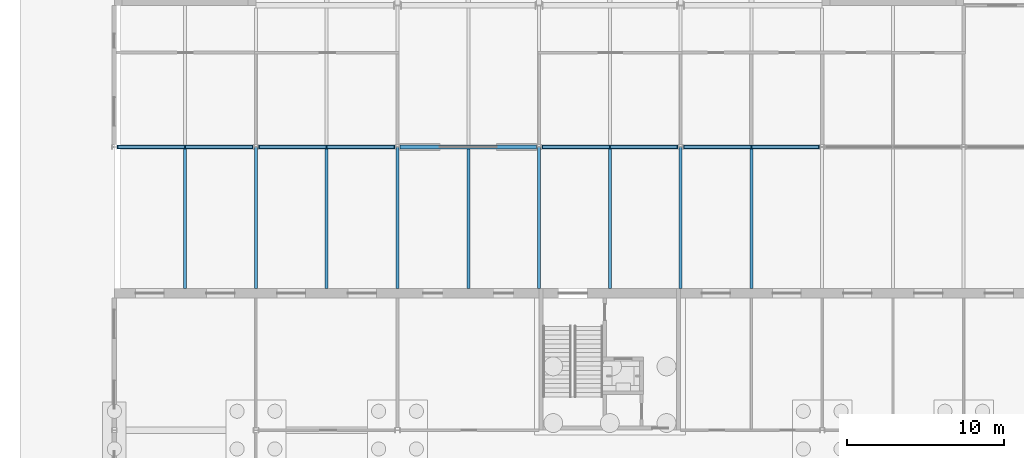
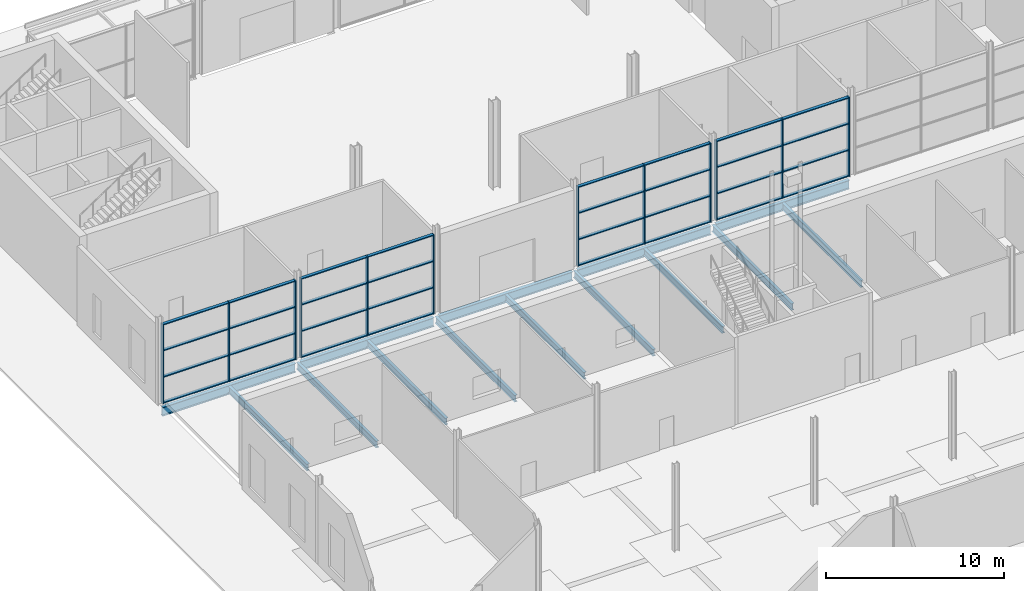
# One storey, part 39 of 97: 44 members, 14 beams, 4 elements without a shape of their own.
"""IFC4 building model written with IfcOpenShell, lengths in metres."""

from ifc_helpers import new_model, si_unit, direction, frame, origin, origin_2d, place, context, subcontext, project, spatial, rectangle, i_section, extrude, material, layer, layer_set, material_profile, profile_set, type_object, element, aggregate, save


model = new_model("IFC4")

# Units and contexts
model_context = context("Model", 3, precision=1e-05, world=origin(), true_north=direction((0.0, 1.0)))
body_context = subcontext(model_context, "Body", "Model", "MODEL_VIEW")
ifc_project = project(units=[si_unit("LENGTHUNIT", "METRE"), si_unit("AREAUNIT", "SQUARE_METRE"), si_unit("VOLUMEUNIT", "CUBIC_METRE"), si_unit("PLANEANGLEUNIT", "RADIAN"), si_unit("MASSUNIT", "GRAM", prefix="KILO")], contexts=[model_context])

# Site, building, storey
site_placement = place(None, origin())
site = spatial("IfcSite", under=ifc_project, at=site_placement, CompositionType="ELEMENT")
building_placement = place(site_placement, origin())
building = spatial("IfcBuilding", under=site, at=building_placement, Name="Corbel Yard City Hall", CompositionType="ELEMENT")
storey_placement = place(building_placement, origin())
storey = spatial("IfcBuildingStorey", under=building, at=storey_placement, Name="L00", CompositionType="ELEMENT", Elevation=0.0)

# Beams
ifc_material_1 = material(Name="Steel Grade 300 (300 MPa yield)", Category="steel")
ifc_material_profile_1 = material_profile(ifc_material_1, i_section(OverallWidth=0.19091796875, OverallDepth=0.4599609375, WebThickness=0.010009765625, FlangeThickness=0.01611328125, at=origin_2d()), Name="460UB82.1")
ifc_profile_set_1 = profile_set([ifc_material_profile_1], Name="Steel Grade 300 (300 MPa yield)")
beam_type_1 = type_object("IfcBeamType", Name="Beam 460UB82.1", PredefinedType="BEAM", material=ifc_profile_set_1)
for number, where, z_axis, x_axis, name in (
    (1, (9.0, 81.0, -0.47998046875), (0.0, 1.0, 0.0), (-1.0, 0.0, 0.0), "Beam 460UB82.1 SB2 L00deck"),
    (2, (18.0, 81.0, -0.47998046875), (0.0, 1.0, 0.0), (-1.0, 0.0, 0.0), "Beam 460UB82.1 SB2 L00deck"),
    (3, (27.0, 81.0, -0.47998046875), (0.0, 1.0, 0.0), (-1.0, 0.0, 0.0), "Beam 460UB82.1 SB2 L00deck"),
    (4, (36.0, 81.0, -0.47998046875), (0.0, 1.0, 0.0), (-1.0, 0.0, 0.0), "Beam 460UB82.1 SB2 L00deck"),
):
    element("IfcBeam", number, at=place(storey_placement, frame(where, z_axis=z_axis, x_axis=x_axis)), inside=storey, type_object=beam_type_1, Name=name, PredefinedType="BEAM", context=body_context, shape_type="SweptSolid", body=[
        extrude(i_section(OverallWidth=0.19091796875, OverallDepth=0.4599609375, WebThickness=0.010009765625, FlangeThickness=0.01611328125, at=origin_2d()), origin(), (0.0, 0.0, 1.0), 8.9921875),
    ])
ifc_material_profile_2 = material_profile(ifc_material_1, i_section(OverallWidth=0.22900390625, OverallDepth=0.612060546875, WebThickness=0.011962890625, FlangeThickness=0.01953125, at=origin_2d()), Name="610UB125")
ifc_profile_set_2 = profile_set([ifc_material_profile_2], Name="Steel Grade 300 (300 MPa yield)")
beam_type_2 = type_object("IfcBeamType", Name="Girder 610UB125", PredefinedType="BEAM", material=ifc_profile_set_2)
for number, where, z_axis, x_axis, name in (
    (5, (0.16357421875, 90.0, -0.555908203125), (1.0, 0.0, 0.0), (0.0, 1.0, 0.0), "Girder 610UB125 GB1 L00deck"),
    (6, (9.16357421875, 90.0, -0.555908203125), (1.0, 0.0, 0.0), (0.0, 1.0, 0.0), "Girder 610UB125 GB1 L00deck"),
    (7, (18.16357421875, 90.0, -0.555908203125), (1.0, 0.0, 0.0), (0.0, 1.0, 0.0), "Girder 610UB125 GB1 L00deck"),
    (8, (27.16357421875, 90.0, -0.555908203125), (1.0, 0.0, 0.0), (0.0, 1.0, 0.0), "Girder 610UB125 GB1 L00deck"),
    (9, (36.16357421875, 90.0, -0.555908203125), (1.0, 0.0, 0.0), (0.0, 1.0, 0.0), "Girder 610UB125 GB1 L00deck"),
):
    element("IfcBeam", number, at=place(storey_placement, frame(where, z_axis=z_axis, x_axis=x_axis)), inside=storey, type_object=beam_type_2, Name=name, PredefinedType="BEAM", context=body_context, shape_type="SweptSolid", body=[
        extrude(i_section(OverallWidth=0.22900390625, OverallDepth=0.612060546875, WebThickness=0.011962890625, FlangeThickness=0.01953125, at=origin_2d()), origin(), (0.0, 0.0, 1.0), 8.6728515625),
    ])

# Curtain wall, members
ifc_material_2 = material(Name="Aluminium extrusion", Category="aluminium")
ifc_layer = layer(ifc_material_2, 0.25)
ifc_layer_set = layer_set([ifc_layer], Name="Aluminium extrusion")
curtain_wall_type = type_object("IfcCurtainWallType", Name="CW4", PredefinedType="USERDEFINED", material=ifc_layer_set)
curtain_wall_1_placement = place(storey_placement, origin())
curtain_wall_1 = element("IfcCurtainWall", 10, at=curtain_wall_1_placement, inside=storey, type_object=curtain_wall_type, Name="Curtain wall CW4 L00", ObjectType="CURTAIN WALL", PredefinedType="USERDEFINED")
ifc_material_profile_3 = material_profile(ifc_material_2, rectangle(XDim=0.25, YDim=0.06494140625, at=origin_2d()), Name="250x65")
ifc_profile_set_3 = profile_set([ifc_material_profile_3], Name="Aluminium extrusion")
member_type_1 = type_object("IfcMemberType", Name="ML4", PredefinedType="MULLION", material=ifc_profile_set_3)
member_1_placement = place(storey_placement, frame((0.18994140625, 90.0, 0.0), z_axis=(0.0, 0.0, 1.0), x_axis=(0.0, 1.0, 0.0)))
member_1 = element("IfcMember", 11, at=member_1_placement, type_object=member_type_1, Name="CW4 mullion 1", PredefinedType="MULLION", context=body_context, shape_type="SweptSolid", body=[
    extrude(rectangle(XDim=0.25, YDim=0.06494140625, at=origin_2d()), origin(), (0.0, 0.0, 1.0), 5.444091796875),
])
member_2_placement = place(storey_placement, frame((4.5, 90.0, 0.0), z_axis=(0.0, 0.0, 1.0), x_axis=(0.0, 1.0, 0.0)))
member_2 = element("IfcMember", 12, at=member_2_placement, type_object=member_type_1, Name="CW4 mullion 2", PredefinedType="MULLION", context=body_context, shape_type="SweptSolid", body=[
    extrude(rectangle(XDim=0.25, YDim=0.06494140625, at=origin_2d()), origin(), (0.0, 0.0, 1.0), 5.444091796875),
])
member_3_placement = place(storey_placement, frame((8.81005859375, 90.0, 0.0), z_axis=(0.0, 0.0, 1.0), x_axis=(0.0, 1.0, 0.0)))
member_3 = element("IfcMember", 13, at=member_3_placement, type_object=member_type_1, Name="CW4 mullion 3", PredefinedType="MULLION", context=body_context, shape_type="SweptSolid", body=[
    extrude(rectangle(XDim=0.25, YDim=0.06494140625, at=origin_2d()), origin(), (0.0, 0.0, 1.0), 5.444091796875),
])

curtain_wall_2_placement = place(storey_placement, origin())
curtain_wall_2 = element("IfcCurtainWall", 14, at=curtain_wall_2_placement, inside=storey, type_object=curtain_wall_type, Name="Curtain wall CW4 L00", ObjectType="CURTAIN WALL", PredefinedType="USERDEFINED")
member_4_placement = place(storey_placement, frame((9.18994140625, 90.0, 0.0), z_axis=(0.0, 0.0, 1.0), x_axis=(0.0, 1.0, 0.0)))
member_4 = element("IfcMember", 15, at=member_4_placement, type_object=member_type_1, Name="CW4 mullion 1", PredefinedType="MULLION", context=body_context, shape_type="SweptSolid", body=[
    extrude(rectangle(XDim=0.25, YDim=0.06494140625, at=origin_2d()), origin(), (0.0, 0.0, 1.0), 5.444091796875),
])
member_5_placement = place(storey_placement, frame((13.5, 90.0, 0.0), z_axis=(0.0, 0.0, 1.0), x_axis=(0.0, 1.0, 0.0)))
member_5 = element("IfcMember", 16, at=member_5_placement, type_object=member_type_1, Name="CW4 mullion 2", PredefinedType="MULLION", context=body_context, shape_type="SweptSolid", body=[
    extrude(rectangle(XDim=0.25, YDim=0.06494140625, at=origin_2d()), origin(), (0.0, 0.0, 1.0), 5.444091796875),
])
member_6_placement = place(storey_placement, frame((17.81005859375, 90.0, 0.0), z_axis=(0.0, 0.0, 1.0), x_axis=(0.0, 1.0, 0.0)))
member_6 = element("IfcMember", 17, at=member_6_placement, type_object=member_type_1, Name="CW4 mullion 3", PredefinedType="MULLION", context=body_context, shape_type="SweptSolid", body=[
    extrude(rectangle(XDim=0.25, YDim=0.06494140625, at=origin_2d()), origin(), (0.0, 0.0, 1.0), 5.444091796875),
])

curtain_wall_3_placement = place(storey_placement, origin())
curtain_wall_3 = element("IfcCurtainWall", 18, at=curtain_wall_3_placement, inside=storey, type_object=curtain_wall_type, Name="Curtain wall CW4 L00", ObjectType="CURTAIN WALL", PredefinedType="USERDEFINED")
member_7_placement = place(storey_placement, frame((27.18994140625, 90.0, 0.0), z_axis=(0.0, 0.0, 1.0), x_axis=(0.0, 1.0, 0.0)))
member_7 = element("IfcMember", 19, at=member_7_placement, type_object=member_type_1, Name="CW4 mullion 1", PredefinedType="MULLION", context=body_context, shape_type="SweptSolid", body=[
    extrude(rectangle(XDim=0.25, YDim=0.06494140625, at=origin_2d()), origin(), (0.0, 0.0, 1.0), 5.444091796875),
])
member_8_placement = place(storey_placement, frame((31.5, 90.0, 0.0), z_axis=(0.0, 0.0, 1.0), x_axis=(0.0, 1.0, 0.0)))
member_8 = element("IfcMember", 20, at=member_8_placement, type_object=member_type_1, Name="CW4 mullion 2", PredefinedType="MULLION", context=body_context, shape_type="SweptSolid", body=[
    extrude(rectangle(XDim=0.25, YDim=0.06494140625, at=origin_2d()), origin(), (0.0, 0.0, 1.0), 5.444091796875),
])
member_9_placement = place(storey_placement, frame((35.81005859375, 90.0, 0.0), z_axis=(0.0, 0.0, 1.0), x_axis=(0.0, 1.0, 0.0)))
member_9 = element("IfcMember", 21, at=member_9_placement, type_object=member_type_1, Name="CW4 mullion 3", PredefinedType="MULLION", context=body_context, shape_type="SweptSolid", body=[
    extrude(rectangle(XDim=0.25, YDim=0.06494140625, at=origin_2d()), origin(), (0.0, 0.0, 1.0), 5.444091796875),
])

curtain_wall_4_placement = place(storey_placement, origin())
curtain_wall_4 = element("IfcCurtainWall", 22, at=curtain_wall_4_placement, inside=storey, type_object=curtain_wall_type, Name="Curtain wall CW4 L00", ObjectType="CURTAIN WALL", PredefinedType="USERDEFINED")
member_10_placement = place(storey_placement, frame((36.18994140625, 90.0, 0.0), z_axis=(0.0, 0.0, 1.0), x_axis=(0.0, 1.0, 0.0)))
member_10 = element("IfcMember", 23, at=member_10_placement, type_object=member_type_1, Name="CW4 mullion 1", PredefinedType="MULLION", context=body_context, shape_type="SweptSolid", body=[
    extrude(rectangle(XDim=0.25, YDim=0.06494140625, at=origin_2d()), origin(), (0.0, 0.0, 1.0), 5.444091796875),
])
member_11_placement = place(storey_placement, frame((40.5, 90.0, 0.0), z_axis=(0.0, 0.0, 1.0), x_axis=(0.0, 1.0, 0.0)))
member_11 = element("IfcMember", 24, at=member_11_placement, type_object=member_type_1, Name="CW4 mullion 2", PredefinedType="MULLION", context=body_context, shape_type="SweptSolid", body=[
    extrude(rectangle(XDim=0.25, YDim=0.06494140625, at=origin_2d()), origin(), (0.0, 0.0, 1.0), 5.444091796875),
])
member_12_placement = place(storey_placement, frame((44.81005859375, 90.0, 0.0), z_axis=(0.0, 0.0, 1.0), x_axis=(0.0, 1.0, 0.0)))
member_12 = element("IfcMember", 25, at=member_12_placement, type_object=member_type_1, Name="CW4 mullion 3", PredefinedType="MULLION", context=body_context, shape_type="SweptSolid", body=[
    extrude(rectangle(XDim=0.25, YDim=0.06494140625, at=origin_2d()), origin(), (0.0, 0.0, 1.0), 5.444091796875),
])

# Beams
ifc_material_profile_4 = material_profile(ifc_material_1, i_section(OverallWidth=0.19091796875, OverallDepth=0.4599609375, WebThickness=0.010009765625, FlangeThickness=0.01611328125, at=origin_2d()), Name="460UB82.1")
ifc_profile_set_4 = profile_set([ifc_material_profile_4], Name="Steel Grade 300 (300 MPa yield)")
beam_type_3 = type_object("IfcBeamType", Name="Secondary beam 460UB82.1", PredefinedType="JOIST", material=ifc_profile_set_4)
for number, where, z_axis, x_axis, name in (
    (26, (4.5, 81.0, -0.47998046875), (0.0, 1.0, 0.0), (-1.0, 0.0, 0.0), "Secondary beam 460UB82.1 SB1 L00deck"),
    (27, (13.5, 81.0, -0.47998046875), (0.0, 1.0, 0.0), (-1.0, 0.0, 0.0), "Secondary beam 460UB82.1 SB1 L00deck"),
    (28, (22.5, 81.0, -0.47998046875), (0.0, 1.0, 0.0), (-1.0, 0.0, 0.0), "Secondary beam 460UB82.1 SB1 L00deck"),
    (29, (31.5, 81.0, -0.47998046875), (0.0, 1.0, 0.0), (-1.0, 0.0, 0.0), "Secondary beam 460UB82.1 SB1 L00deck"),
    (30, (40.5, 81.0, -0.47998046875), (0.0, 1.0, 0.0), (-1.0, 0.0, 0.0), "Secondary beam 460UB82.1 SB1 L00deck"),
):
    element("IfcBeam", number, at=place(storey_placement, frame(where, z_axis=z_axis, x_axis=x_axis)), inside=storey, type_object=beam_type_3, Name=name, PredefinedType="JOIST", context=body_context, shape_type="SweptSolid", body=[
        extrude(i_section(OverallWidth=0.19091796875, OverallDepth=0.4599609375, WebThickness=0.010009765625, FlangeThickness=0.01611328125, at=origin_2d()), origin(), (0.0, 0.0, 1.0), 8.885498046875),
    ])

# Member
ifc_material_profile_5 = material_profile(ifc_material_2, rectangle(XDim=0.199951171875, YDim=0.06494140625, at=origin_2d()), Name="200x65")
ifc_profile_set_5 = profile_set([ifc_material_profile_5], Name="Aluminium extrusion")
member_type_2 = type_object("IfcMemberType", Name="TR4", PredefinedType="USERDEFINED", material=ifc_profile_set_5)
member_13_placement = place(storey_placement, frame((0.222412109375, 90.0, 0.032470703125), z_axis=(1.0, 0.0, 0.0), x_axis=(0.0, 1.0, 0.0)))
member_13 = element("IfcMember", 31, at=member_13_placement, type_object=member_type_2, Name="CW4 transom 1.1", ObjectType="TRANSOM", PredefinedType="USERDEFINED", context=body_context, shape_type="SweptSolid", body=[
    extrude(rectangle(XDim=0.199951171875, YDim=0.06494140625, at=origin_2d()), origin(), (0.0, 0.0, 1.0), 4.2451171875),
])

member_14_placement = place(storey_placement, frame((0.222412109375, 90.0, 1.814697265625), z_axis=(1.0, 0.0, 0.0), x_axis=(0.0, 1.0, 0.0)))
member_14 = element("IfcMember", 32, at=member_14_placement, type_object=member_type_2, Name="CW4 transom 1.2", ObjectType="TRANSOM", PredefinedType="USERDEFINED", context=body_context, shape_type="SweptSolid", body=[
    extrude(rectangle(XDim=0.199951171875, YDim=0.06494140625, at=origin_2d()), origin(), (0.0, 0.0, 1.0), 4.2451171875),
])

member_15_placement = place(storey_placement, frame((0.222412109375, 90.0, 3.62939453125), z_axis=(1.0, 0.0, 0.0), x_axis=(0.0, 1.0, 0.0)))
member_15 = element("IfcMember", 33, at=member_15_placement, type_object=member_type_2, Name="CW4 transom 1.3", ObjectType="TRANSOM", PredefinedType="USERDEFINED", context=body_context, shape_type="SweptSolid", body=[
    extrude(rectangle(XDim=0.199951171875, YDim=0.06494140625, at=origin_2d()), origin(), (0.0, 0.0, 1.0), 4.2451171875),
])

member_16_placement = place(storey_placement, frame((0.222412109375, 90.0, 5.41162109375), z_axis=(1.0, 0.0, 0.0), x_axis=(0.0, 1.0, 0.0)))
member_16 = element("IfcMember", 34, at=member_16_placement, type_object=member_type_2, Name="CW4 transom 1.4", ObjectType="TRANSOM", PredefinedType="USERDEFINED", context=body_context, shape_type="SweptSolid", body=[
    extrude(rectangle(XDim=0.199951171875, YDim=0.06494140625, at=origin_2d()), origin(), (0.0, 0.0, 1.0), 4.2451171875),
])

member_17_placement = place(storey_placement, frame((4.532470703125, 90.0, 0.032470703125), z_axis=(1.0, 0.0, 0.0), x_axis=(0.0, 1.0, 0.0)))
member_17 = element("IfcMember", 35, at=member_17_placement, type_object=member_type_2, Name="CW4 transom 2.1", ObjectType="TRANSOM", PredefinedType="USERDEFINED", context=body_context, shape_type="SweptSolid", body=[
    extrude(rectangle(XDim=0.199951171875, YDim=0.06494140625, at=origin_2d()), origin(), (0.0, 0.0, 1.0), 4.2451171875),
])

member_18_placement = place(storey_placement, frame((4.532470703125, 90.0, 1.814697265625), z_axis=(1.0, 0.0, 0.0), x_axis=(0.0, 1.0, 0.0)))
member_18 = element("IfcMember", 36, at=member_18_placement, type_object=member_type_2, Name="CW4 transom 2.2", ObjectType="TRANSOM", PredefinedType="USERDEFINED", context=body_context, shape_type="SweptSolid", body=[
    extrude(rectangle(XDim=0.199951171875, YDim=0.06494140625, at=origin_2d()), origin(), (0.0, 0.0, 1.0), 4.2451171875),
])

member_19_placement = place(storey_placement, frame((4.532470703125, 90.0, 3.62939453125), z_axis=(1.0, 0.0, 0.0), x_axis=(0.0, 1.0, 0.0)))
member_19 = element("IfcMember", 37, at=member_19_placement, type_object=member_type_2, Name="CW4 transom 2.3", ObjectType="TRANSOM", PredefinedType="USERDEFINED", context=body_context, shape_type="SweptSolid", body=[
    extrude(rectangle(XDim=0.199951171875, YDim=0.06494140625, at=origin_2d()), origin(), (0.0, 0.0, 1.0), 4.2451171875),
])

member_20_placement = place(storey_placement, frame((4.532470703125, 90.0, 5.41162109375), z_axis=(1.0, 0.0, 0.0), x_axis=(0.0, 1.0, 0.0)))
member_20 = element("IfcMember", 38, at=member_20_placement, type_object=member_type_2, Name="CW4 transom 2.4", ObjectType="TRANSOM", PredefinedType="USERDEFINED", context=body_context, shape_type="SweptSolid", body=[
    extrude(rectangle(XDim=0.199951171875, YDim=0.06494140625, at=origin_2d()), origin(), (0.0, 0.0, 1.0), 4.2451171875),
])

aggregate(curtain_wall_1, [member_1, member_2, member_3, member_13, member_14, member_15, member_16, member_17, member_18, member_19, member_20])

member_21_placement = place(storey_placement, frame((9.222412109375, 90.0, 0.032470703125), z_axis=(1.0, 0.0, 0.0), x_axis=(0.0, 1.0, 0.0)))
member_21 = element("IfcMember", 39, at=member_21_placement, type_object=member_type_2, Name="CW4 transom 1.1", ObjectType="TRANSOM", PredefinedType="USERDEFINED", context=body_context, shape_type="SweptSolid", body=[
    extrude(rectangle(XDim=0.199951171875, YDim=0.06494140625, at=origin_2d()), origin(), (0.0, 0.0, 1.0), 4.2451171875),
])

member_22_placement = place(storey_placement, frame((9.222412109375, 90.0, 1.814697265625), z_axis=(1.0, 0.0, 0.0), x_axis=(0.0, 1.0, 0.0)))
member_22 = element("IfcMember", 40, at=member_22_placement, type_object=member_type_2, Name="CW4 transom 1.2", ObjectType="TRANSOM", PredefinedType="USERDEFINED", context=body_context, shape_type="SweptSolid", body=[
    extrude(rectangle(XDim=0.199951171875, YDim=0.06494140625, at=origin_2d()), origin(), (0.0, 0.0, 1.0), 4.2451171875),
])

member_23_placement = place(storey_placement, frame((9.222412109375, 90.0, 3.62939453125), z_axis=(1.0, 0.0, 0.0), x_axis=(0.0, 1.0, 0.0)))
member_23 = element("IfcMember", 41, at=member_23_placement, type_object=member_type_2, Name="CW4 transom 1.3", ObjectType="TRANSOM", PredefinedType="USERDEFINED", context=body_context, shape_type="SweptSolid", body=[
    extrude(rectangle(XDim=0.199951171875, YDim=0.06494140625, at=origin_2d()), origin(), (0.0, 0.0, 1.0), 4.2451171875),
])

member_24_placement = place(storey_placement, frame((9.222412109375, 90.0, 5.41162109375), z_axis=(1.0, 0.0, 0.0), x_axis=(0.0, 1.0, 0.0)))
member_24 = element("IfcMember", 42, at=member_24_placement, type_object=member_type_2, Name="CW4 transom 1.4", ObjectType="TRANSOM", PredefinedType="USERDEFINED", context=body_context, shape_type="SweptSolid", body=[
    extrude(rectangle(XDim=0.199951171875, YDim=0.06494140625, at=origin_2d()), origin(), (0.0, 0.0, 1.0), 4.2451171875),
])

member_25_placement = place(storey_placement, frame((13.532470703125, 90.0, 0.032470703125), z_axis=(1.0, 0.0, 0.0), x_axis=(0.0, 1.0, 0.0)))
member_25 = element("IfcMember", 43, at=member_25_placement, type_object=member_type_2, Name="CW4 transom 2.1", ObjectType="TRANSOM", PredefinedType="USERDEFINED", context=body_context, shape_type="SweptSolid", body=[
    extrude(rectangle(XDim=0.199951171875, YDim=0.06494140625, at=origin_2d()), origin(), (0.0, 0.0, 1.0), 4.2451171875),
])

member_26_placement = place(storey_placement, frame((13.532470703125, 90.0, 1.814697265625), z_axis=(1.0, 0.0, 0.0), x_axis=(0.0, 1.0, 0.0)))
member_26 = element("IfcMember", 44, at=member_26_placement, type_object=member_type_2, Name="CW4 transom 2.2", ObjectType="TRANSOM", PredefinedType="USERDEFINED", context=body_context, shape_type="SweptSolid", body=[
    extrude(rectangle(XDim=0.199951171875, YDim=0.06494140625, at=origin_2d()), origin(), (0.0, 0.0, 1.0), 4.2451171875),
])

member_27_placement = place(storey_placement, frame((13.532470703125, 90.0, 3.62939453125), z_axis=(1.0, 0.0, 0.0), x_axis=(0.0, 1.0, 0.0)))
member_27 = element("IfcMember", 45, at=member_27_placement, type_object=member_type_2, Name="CW4 transom 2.3", ObjectType="TRANSOM", PredefinedType="USERDEFINED", context=body_context, shape_type="SweptSolid", body=[
    extrude(rectangle(XDim=0.199951171875, YDim=0.06494140625, at=origin_2d()), origin(), (0.0, 0.0, 1.0), 4.2451171875),
])

member_28_placement = place(storey_placement, frame((13.532470703125, 90.0, 5.41162109375), z_axis=(1.0, 0.0, 0.0), x_axis=(0.0, 1.0, 0.0)))
member_28 = element("IfcMember", 46, at=member_28_placement, type_object=member_type_2, Name="CW4 transom 2.4", ObjectType="TRANSOM", PredefinedType="USERDEFINED", context=body_context, shape_type="SweptSolid", body=[
    extrude(rectangle(XDim=0.199951171875, YDim=0.06494140625, at=origin_2d()), origin(), (0.0, 0.0, 1.0), 4.2451171875),
])

aggregate(curtain_wall_2, [member_4, member_5, member_6, member_21, member_22, member_23, member_24, member_25, member_26, member_27, member_28])

member_29_placement = place(storey_placement, frame((27.222412109375, 90.0, 0.032470703125), z_axis=(1.0, 0.0, 0.0), x_axis=(0.0, 1.0, 0.0)))
member_29 = element("IfcMember", 47, at=member_29_placement, type_object=member_type_2, Name="CW4 transom 1.1", ObjectType="TRANSOM", PredefinedType="USERDEFINED", context=body_context, shape_type="SweptSolid", body=[
    extrude(rectangle(XDim=0.199951171875, YDim=0.06494140625, at=origin_2d()), origin(), (0.0, 0.0, 1.0), 4.2451171875),
])

member_30_placement = place(storey_placement, frame((27.222412109375, 90.0, 1.814697265625), z_axis=(1.0, 0.0, 0.0), x_axis=(0.0, 1.0, 0.0)))
member_30 = element("IfcMember", 48, at=member_30_placement, type_object=member_type_2, Name="CW4 transom 1.2", ObjectType="TRANSOM", PredefinedType="USERDEFINED", context=body_context, shape_type="SweptSolid", body=[
    extrude(rectangle(XDim=0.199951171875, YDim=0.06494140625, at=origin_2d()), origin(), (0.0, 0.0, 1.0), 4.2451171875),
])

member_31_placement = place(storey_placement, frame((27.222412109375, 90.0, 3.62939453125), z_axis=(1.0, 0.0, 0.0), x_axis=(0.0, 1.0, 0.0)))
member_31 = element("IfcMember", 49, at=member_31_placement, type_object=member_type_2, Name="CW4 transom 1.3", ObjectType="TRANSOM", PredefinedType="USERDEFINED", context=body_context, shape_type="SweptSolid", body=[
    extrude(rectangle(XDim=0.199951171875, YDim=0.06494140625, at=origin_2d()), origin(), (0.0, 0.0, 1.0), 4.2451171875),
])

member_32_placement = place(storey_placement, frame((27.222412109375, 90.0, 5.41162109375), z_axis=(1.0, 0.0, 0.0), x_axis=(0.0, 1.0, 0.0)))
member_32 = element("IfcMember", 50, at=member_32_placement, type_object=member_type_2, Name="CW4 transom 1.4", ObjectType="TRANSOM", PredefinedType="USERDEFINED", context=body_context, shape_type="SweptSolid", body=[
    extrude(rectangle(XDim=0.199951171875, YDim=0.06494140625, at=origin_2d()), origin(), (0.0, 0.0, 1.0), 4.2451171875),
])

member_33_placement = place(storey_placement, frame((31.532470703125, 90.0, 0.032470703125), z_axis=(1.0, 0.0, 0.0), x_axis=(0.0, 1.0, 0.0)))
member_33 = element("IfcMember", 51, at=member_33_placement, type_object=member_type_2, Name="CW4 transom 2.1", ObjectType="TRANSOM", PredefinedType="USERDEFINED", context=body_context, shape_type="SweptSolid", body=[
    extrude(rectangle(XDim=0.199951171875, YDim=0.06494140625, at=origin_2d()), origin(), (0.0, 0.0, 1.0), 4.2451171875),
])

member_34_placement = place(storey_placement, frame((31.532470703125, 90.0, 1.814697265625), z_axis=(1.0, 0.0, 0.0), x_axis=(0.0, 1.0, 0.0)))
member_34 = element("IfcMember", 52, at=member_34_placement, type_object=member_type_2, Name="CW4 transom 2.2", ObjectType="TRANSOM", PredefinedType="USERDEFINED", context=body_context, shape_type="SweptSolid", body=[
    extrude(rectangle(XDim=0.199951171875, YDim=0.06494140625, at=origin_2d()), origin(), (0.0, 0.0, 1.0), 4.2451171875),
])

member_35_placement = place(storey_placement, frame((31.532470703125, 90.0, 3.62939453125), z_axis=(1.0, 0.0, 0.0), x_axis=(0.0, 1.0, 0.0)))
member_35 = element("IfcMember", 53, at=member_35_placement, type_object=member_type_2, Name="CW4 transom 2.3", ObjectType="TRANSOM", PredefinedType="USERDEFINED", context=body_context, shape_type="SweptSolid", body=[
    extrude(rectangle(XDim=0.199951171875, YDim=0.06494140625, at=origin_2d()), origin(), (0.0, 0.0, 1.0), 4.2451171875),
])

member_36_placement = place(storey_placement, frame((31.532470703125, 90.0, 5.41162109375), z_axis=(1.0, 0.0, 0.0), x_axis=(0.0, 1.0, 0.0)))
member_36 = element("IfcMember", 54, at=member_36_placement, type_object=member_type_2, Name="CW4 transom 2.4", ObjectType="TRANSOM", PredefinedType="USERDEFINED", context=body_context, shape_type="SweptSolid", body=[
    extrude(rectangle(XDim=0.199951171875, YDim=0.06494140625, at=origin_2d()), origin(), (0.0, 0.0, 1.0), 4.2451171875),
])

aggregate(curtain_wall_3, [member_7, member_8, member_9, member_29, member_30, member_31, member_32, member_33, member_34, member_35, member_36])

member_37_placement = place(storey_placement, frame((36.222412109375, 90.0, 0.032470703125), z_axis=(1.0, 0.0, 0.0), x_axis=(0.0, 1.0, 0.0)))
member_37 = element("IfcMember", 55, at=member_37_placement, type_object=member_type_2, Name="CW4 transom 1.1", ObjectType="TRANSOM", PredefinedType="USERDEFINED", context=body_context, shape_type="SweptSolid", body=[
    extrude(rectangle(XDim=0.199951171875, YDim=0.06494140625, at=origin_2d()), origin(), (0.0, 0.0, 1.0), 4.2451171875),
])

member_38_placement = place(storey_placement, frame((36.222412109375, 90.0, 1.814697265625), z_axis=(1.0, 0.0, 0.0), x_axis=(0.0, 1.0, 0.0)))
member_38 = element("IfcMember", 56, at=member_38_placement, type_object=member_type_2, Name="CW4 transom 1.2", ObjectType="TRANSOM", PredefinedType="USERDEFINED", context=body_context, shape_type="SweptSolid", body=[
    extrude(rectangle(XDim=0.199951171875, YDim=0.06494140625, at=origin_2d()), origin(), (0.0, 0.0, 1.0), 4.2451171875),
])

member_39_placement = place(storey_placement, frame((36.222412109375, 90.0, 3.62939453125), z_axis=(1.0, 0.0, 0.0), x_axis=(0.0, 1.0, 0.0)))
member_39 = element("IfcMember", 57, at=member_39_placement, type_object=member_type_2, Name="CW4 transom 1.3", ObjectType="TRANSOM", PredefinedType="USERDEFINED", context=body_context, shape_type="SweptSolid", body=[
    extrude(rectangle(XDim=0.199951171875, YDim=0.06494140625, at=origin_2d()), origin(), (0.0, 0.0, 1.0), 4.2451171875),
])

member_40_placement = place(storey_placement, frame((36.222412109375, 90.0, 5.41162109375), z_axis=(1.0, 0.0, 0.0), x_axis=(0.0, 1.0, 0.0)))
member_40 = element("IfcMember", 58, at=member_40_placement, type_object=member_type_2, Name="CW4 transom 1.4", ObjectType="TRANSOM", PredefinedType="USERDEFINED", context=body_context, shape_type="SweptSolid", body=[
    extrude(rectangle(XDim=0.199951171875, YDim=0.06494140625, at=origin_2d()), origin(), (0.0, 0.0, 1.0), 4.2451171875),
])

member_41_placement = place(storey_placement, frame((40.532470703125, 90.0, 0.032470703125), z_axis=(1.0, 0.0, 0.0), x_axis=(0.0, 1.0, 0.0)))
member_41 = element("IfcMember", 59, at=member_41_placement, type_object=member_type_2, Name="CW4 transom 2.1", ObjectType="TRANSOM", PredefinedType="USERDEFINED", context=body_context, shape_type="SweptSolid", body=[
    extrude(rectangle(XDim=0.199951171875, YDim=0.06494140625, at=origin_2d()), origin(), (0.0, 0.0, 1.0), 4.2451171875),
])

member_42_placement = place(storey_placement, frame((40.532470703125, 90.0, 1.814697265625), z_axis=(1.0, 0.0, 0.0), x_axis=(0.0, 1.0, 0.0)))
member_42 = element("IfcMember", 60, at=member_42_placement, type_object=member_type_2, Name="CW4 transom 2.2", ObjectType="TRANSOM", PredefinedType="USERDEFINED", context=body_context, shape_type="SweptSolid", body=[
    extrude(rectangle(XDim=0.199951171875, YDim=0.06494140625, at=origin_2d()), origin(), (0.0, 0.0, 1.0), 4.2451171875),
])

member_43_placement = place(storey_placement, frame((40.532470703125, 90.0, 3.62939453125), z_axis=(1.0, 0.0, 0.0), x_axis=(0.0, 1.0, 0.0)))
member_43 = element("IfcMember", 61, at=member_43_placement, type_object=member_type_2, Name="CW4 transom 2.3", ObjectType="TRANSOM", PredefinedType="USERDEFINED", context=body_context, shape_type="SweptSolid", body=[
    extrude(rectangle(XDim=0.199951171875, YDim=0.06494140625, at=origin_2d()), origin(), (0.0, 0.0, 1.0), 4.2451171875),
])

member_44_placement = place(storey_placement, frame((40.532470703125, 90.0, 5.41162109375), z_axis=(1.0, 0.0, 0.0), x_axis=(0.0, 1.0, 0.0)))
member_44 = element("IfcMember", 62, at=member_44_placement, type_object=member_type_2, Name="CW4 transom 2.4", ObjectType="TRANSOM", PredefinedType="USERDEFINED", context=body_context, shape_type="SweptSolid", body=[
    extrude(rectangle(XDim=0.199951171875, YDim=0.06494140625, at=origin_2d()), origin(), (0.0, 0.0, 1.0), 4.2451171875),
])

aggregate(curtain_wall_4, [member_10, member_11, member_12, member_37, member_38, member_39, member_40, member_41, member_42, member_43, member_44])

save(model, "model.ifc")
